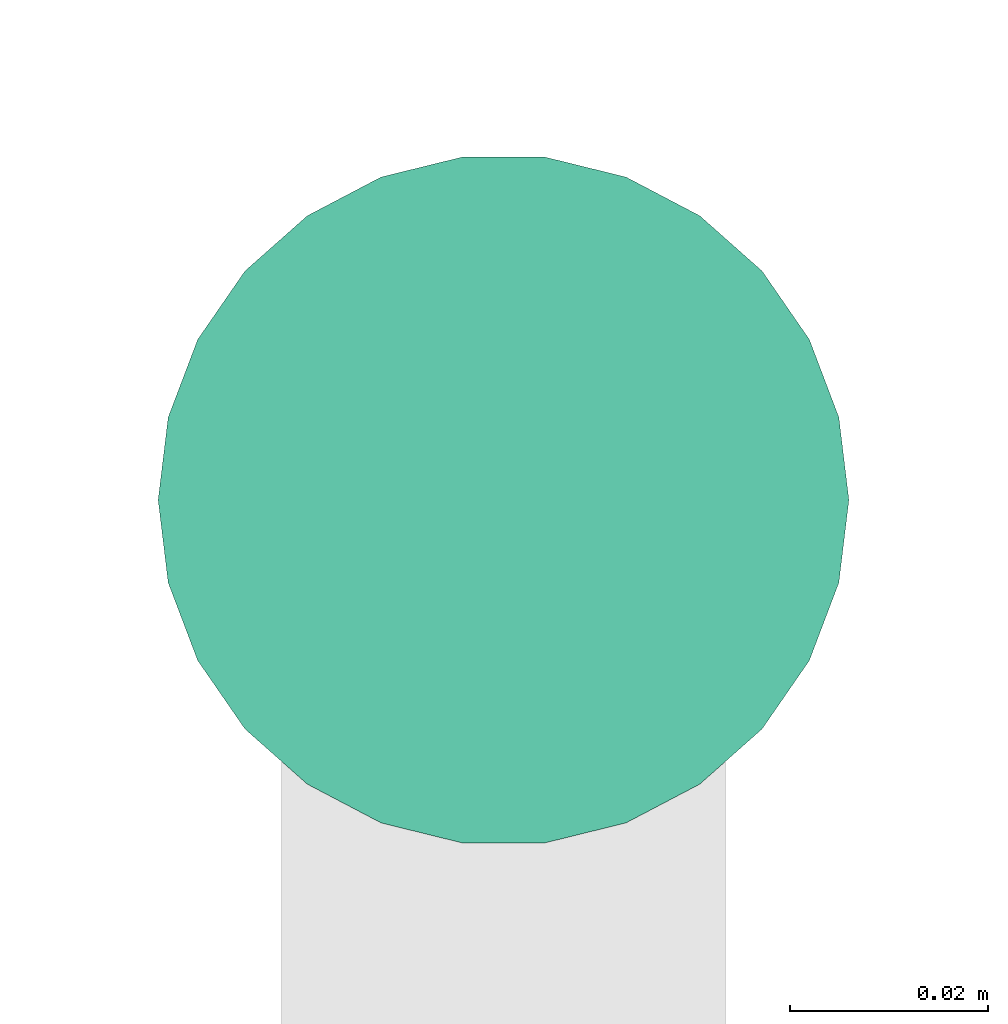
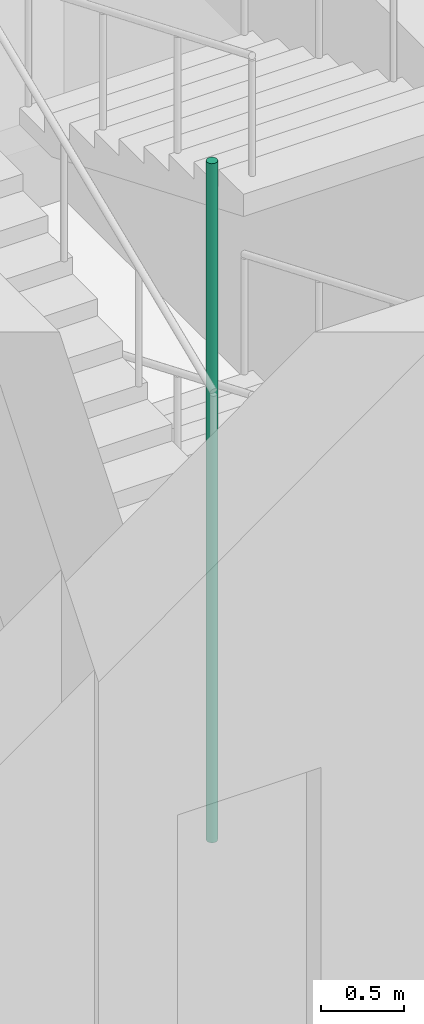
# One storey, part 20 of 31: 1 pipe segment.
"""IFC4 building model written with IfcOpenShell, lengths in metres."""

from ifc_helpers import new_model, si_unit, direction, frame, origin, origin_2d, place, context, subcontext, project, spatial, circle, extrude, element, save


model = new_model("IFC4")

# Units and contexts
model_context = context("Model", 3, precision=1e-05, world=origin(), true_north=direction((0.0, 1.0)))
body_context = subcontext(model_context, "Body", "Model", "MODEL_VIEW")
ifc_project = project(units=[si_unit("LENGTHUNIT", "METRE"), si_unit("AREAUNIT", "SQUARE_METRE"), si_unit("VOLUMEUNIT", "CUBIC_METRE"), si_unit("PLANEANGLEUNIT", "RADIAN"), si_unit("MASSUNIT", "GRAM", prefix="KILO")], contexts=[model_context])

# Site, building, storey
site_placement = place(None, origin())
site = spatial("IfcSite", under=ifc_project, at=site_placement, CompositionType="ELEMENT")
building_placement = place(site_placement, origin())
building = spatial("IfcBuilding", under=site, at=building_placement, Name="Nzadi Deep Aquarium and Research Tower", CompositionType="ELEMENT")
storey_placement = place(building_placement, frame((0.0, 0.0, 21.699951171875)))
storey = spatial("IfcBuildingStorey", under=building, at=storey_placement, Name="L03", CompositionType="ELEMENT", Elevation=21.699951171875)

# Pipe segment
pipe_segment_placement = place(storey_placement, frame((25.10009765625, 13.719970703125, 0.0), z_axis=(0.0, 0.0, 1.0), x_axis=(1.0, 0.0, 0.0)))
element("IfcPipeSegment", 1, at=pipe_segment_placement, inside=storey, Name="Dry riser ST-Z1-SE L03", PredefinedType="RIGIDSEGMENT", context=body_context, shape_type="SweptSolid", body=[
    extrude(circle(Radius=0.034912109375, at=origin_2d()), origin(), (0.0, 0.0, 1.0), 5.0),
])

save(model, "model.ifc")
